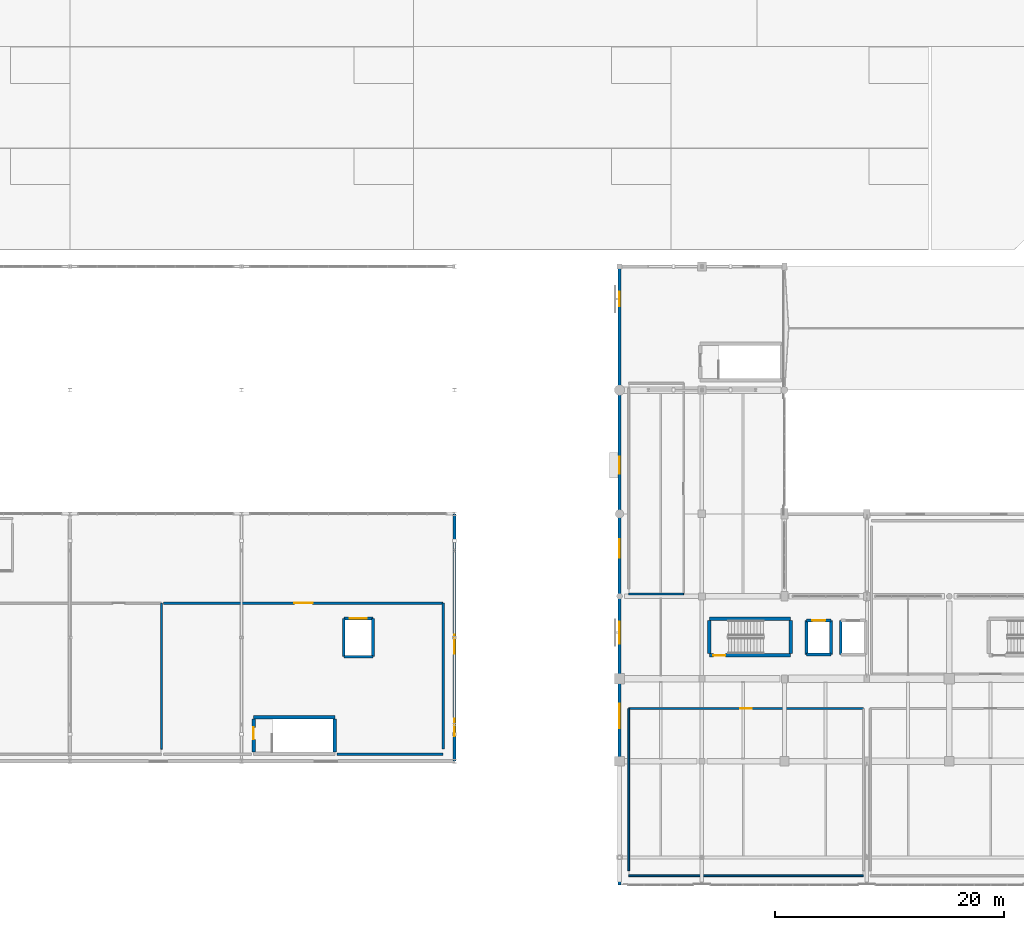
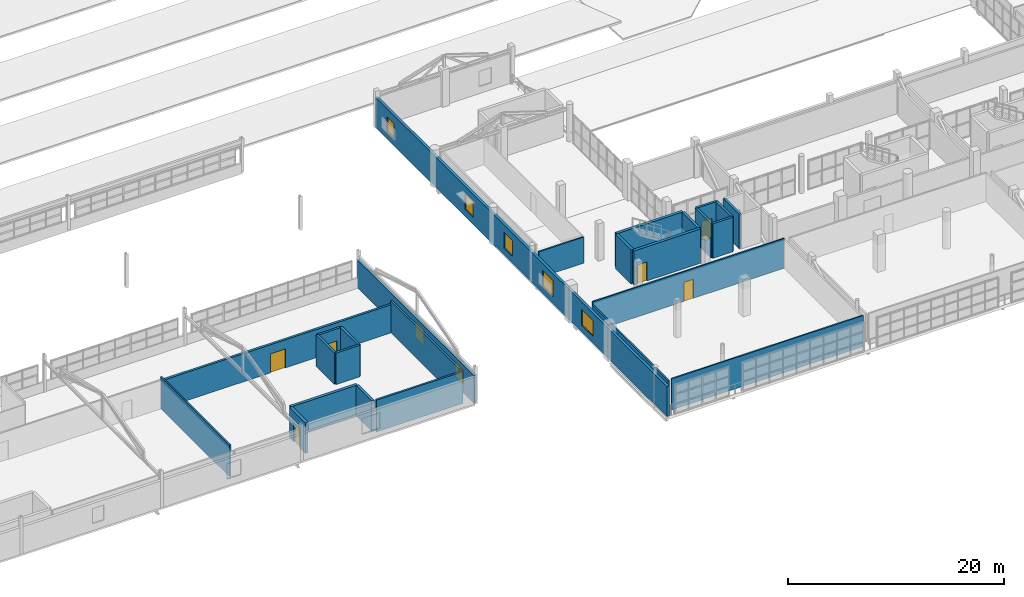
# One storey, part 72 of 90: 26 walls, 7 windows, 6 doors, 13 openings.
"""IFC4 building model written with IfcOpenShell, lengths in metres."""

import ifcopenshell
import ifcopenshell.guid

model = None  # the IFC model being written
_history = None  # IfcOwnerHistory: only IFC2X3 demands one
_inside = {}  # id of a spatial element -> (the spatial element, [elements in it])
_under = {}  # id of a project, library or spatial element -> (it, [spatial elements below it])
_declared = {}  # id of a project -> (the project, [libraries it declares])
_typed = {}  # id of a type object -> (the type object, [elements of that type])
_made_of = {}  # id of a material, layer set ... -> (it, [elements and type objects made of it])


def new_model(schema):
    """Start an empty IFC model of exactly this schema.

    Asked for "IFC4X3", IfcOpenShell would pick the latest addendum, in which some entities
    have other attributes; the version numbers below select the first issue.
    IFC2X3 requires an IfcOwnerHistory on every rooted entity: one is made here for all.
    """
    global model, _history
    if schema == "IFC4X3":
        model = ifcopenshell.file(schema_version=(4, 3, 0, 0))
    else:
        model = ifcopenshell.file(schema=schema)
    _inside.clear()
    _under.clear()
    _declared.clear()
    _typed.clear()
    _made_of.clear()
    _history = None
    if model.schema == "IFC2X3":
        org = make("IfcOrganization", Name="unknown")
        user = make(
            "IfcPersonAndOrganization",
            ThePerson=make("IfcPerson", FamilyName="unknown"),
            TheOrganization=org,
        )
        app = make(
            "IfcApplication",
            ApplicationDeveloper=org,
            Version="unknown",
            ApplicationFullName="unknown",
            ApplicationIdentifier="unknown",
        )
        _history = make(
            "IfcOwnerHistory",
            OwningUser=user,
            OwningApplication=app,
            ChangeAction="ADDED",
            CreationDate=0,
        )
    return model


def make(cls, **values):
    """One entity of the class cls with the attributes given. An attribute that is None is left unset."""
    return model.create_entity(
        cls, **{name: value for name, value in values.items() if value is not None}
    )


def rooted(cls, **values):
    """An entity with a GlobalId (a new one), such as an element, a storey or a relation."""
    return make(cls, GlobalId=ifcopenshell.guid.new(), OwnerHistory=_history, **values)


def si_unit(unit_type, name, prefix=None):
    """IfcSIUnit, for example si_unit("LENGTHUNIT", "METRE", prefix="MILLI")."""
    return make("IfcSIUnit", UnitType=unit_type, Prefix=prefix, Name=name)


def assignment(units):
    """IfcUnitAssignment: the units of a project."""
    return None if units is None else make("IfcUnitAssignment", Units=units)


def point(xyz):
    """IfcCartesianPoint."""
    return None if xyz is None else make("IfcCartesianPoint", Coordinates=xyz)


def direction(xyz):
    """IfcDirection."""
    return None if xyz is None else make("IfcDirection", DirectionRatios=xyz)


def frame(location, z_axis=None, x_axis=None):
    """IfcAxis2Placement3D, a coordinate frame: its origin and axes. An axis left out is left unset."""
    return make(
        "IfcAxis2Placement3D",
        Location=point(location),
        Axis=direction(z_axis),
        RefDirection=direction(x_axis),
    )


def frame_2d(location, x_axis=None):
    """IfcAxis2Placement2D, a coordinate frame in the plane: its origin and x axis."""
    return make(
        "IfcAxis2Placement2D", Location=point(location), RefDirection=direction(x_axis)
    )


def origin():
    """The frame at (0, 0, 0) with its axes left unset."""
    return frame((0.0, 0.0, 0.0))


def place(relative_to, where):
    """IfcLocalPlacement: puts the frame where relative to a parent placement (None: the world)."""
    return make(
        "IfcLocalPlacement", PlacementRelTo=relative_to, RelativePlacement=where
    )


def context(
    kind, dimensions, precision=None, world=None, true_north=None, identifier=None
):
    """IfcGeometricRepresentationContext, for example the 3D "Model" context."""
    return make(
        "IfcGeometricRepresentationContext",
        ContextIdentifier=identifier,
        ContextType=kind,
        CoordinateSpaceDimension=dimensions,
        Precision=precision,
        WorldCoordinateSystem=world,
        TrueNorth=true_north,
    )


def subcontext(parent, identifier, kind, view, scale=None):
    """IfcGeometricRepresentationSubContext, for example "Body" below "Model"."""
    return make(
        "IfcGeometricRepresentationSubContext",
        ContextIdentifier=identifier,
        ContextType=kind,
        ParentContext=parent,
        TargetScale=scale,
        TargetView=view,
    )


def project(units=None, contexts=None):
    """IfcProject with its units and contexts."""
    return rooted(
        "IfcProject",
        Name="project",
        RepresentationContexts=contexts,
        UnitsInContext=assignment(units),
    )


def spatial(cls, under=None, at=None, **own):
    """A site, building, storey or space (cls), placed at a placement, below another one or the project."""
    s = rooted(cls, ObjectPlacement=at, **own)
    if under is not None:
        _under.setdefault(under.id(), (under, []))[1].append(s)
    return s


def profile(cls, at=None, kind="AREA", **sizes):
    """A parametric profile (cls). Its sizes go by their IFC names, for example OverallWidth=200.0."""
    return make(cls, ProfileType=kind, Position=at, **sizes)


def rectangle(**sizes):
    """IfcRectangleProfileDef."""
    return profile("IfcRectangleProfileDef", **sizes)


def extrude(swept, where, along, depth):
    """IfcExtrudedAreaSolid: the profile swept, set in the frame where, extruded along a direction by depth."""
    return make(
        "IfcExtrudedAreaSolid",
        SweptArea=swept,
        Position=where,
        ExtrudedDirection=direction(along),
        Depth=depth,
    )


def shape(context_of_items, identifier, shape_type, items):
    """IfcShapeRepresentation: the items that make up one representation, for example the "Body"."""
    return make(
        "IfcShapeRepresentation",
        ContextOfItems=context_of_items,
        RepresentationIdentifier=identifier,
        RepresentationType=shape_type,
        Items=items,
    )


def material(Name=None, Category=None):
    """IfcMaterial."""
    return make("IfcMaterial", Name=Name, Category=Category)


def layer(
    of_material, thickness, ventilated=None, Name=None, Category=None, Priority=None
):
    """IfcMaterialLayer: one layer of a wall or slab, of a material (None: an air gap)."""
    return make(
        "IfcMaterialLayer",
        Material=of_material,
        LayerThickness=thickness,
        IsVentilated=ventilated,
        Name=Name,
        Category=Category,
        Priority=Priority,
    )


def layer_set(layers, Name=None):
    """IfcMaterialLayerSet."""
    return make("IfcMaterialLayerSet", MaterialLayers=layers, LayerSetName=Name)


def made_of(thing, what):
    """Note that an element or type object is made of a material, layer set ...; save() writes the relation."""
    if what is not None:
        _made_of.setdefault(what.id(), (what, []))[1].append(thing)
    return thing


def type_object(cls, material=None, **own):
    """A type object (cls), such as IfcWallType, which elements share."""
    return made_of(rooted(cls, **own), material)


def element(
    cls,
    number,
    at=None,
    inside=None,
    cuts=None,
    type_object=None,
    material=None,
    context=None,
    identifier="Body",
    shape_type=None,
    held_by="IfcProductDefinitionShape",
    body=None,
    shapes=None,
    **own,
):
    """One element of the class cls, such as IfcWall. Its Tag is "e" and its number.

    at: its placement. inside: the storey or other place that contains it. cuts: it is an
    opening in that element (IfcRelVoidsElement). A single representation is given by context,
    identifier, shape_type and body (its items); several are given by shapes. held_by: the class
    of the entity that holds the representations. save() writes the other relations.
    """
    e = rooted(cls, Tag="e%d" % number, ObjectPlacement=at, **own)
    if body is not None:
        shapes = [shape(context, identifier, shape_type, body)]
    if shapes is not None:
        e.Representation = make(held_by, Representations=shapes)
    if inside is not None:
        _inside.setdefault(inside.id(), (inside, []))[1].append(e)
    if cuts is not None:
        rooted(
            "IfcRelVoidsElement", RelatingBuildingElement=cuts, RelatedOpeningElement=e
        )
    if type_object is not None:
        _typed.setdefault(type_object.id(), (type_object, []))[1].append(e)
    return made_of(e, material)


def fill(opening, filler):
    """IfcRelFillsElement: the door or window that sits in an opening."""
    return rooted(
        "IfcRelFillsElement",
        RelatingOpeningElement=opening,
        RelatedBuildingElement=filler,
    )


def aggregate(whole, parts):
    """IfcRelAggregates: a whole, such as a stair, and the parts it consists of."""
    return rooted("IfcRelAggregates", RelatingObject=whole, RelatedObjects=parts)


def save(model, path):
    """Write the relations noted so far, then the file.

    IfcRelAggregates (storeys below a building ...), IfcRelContainedInSpatialStructure (elements
    in a storey), IfcRelDefinesByType, IfcRelAssociatesMaterial and IfcRelDeclares: one each for
    every whole, place, type object, material and project.
    """
    for whole, parts in _under.values():
        aggregate(whole, parts)
    for where, things in _inside.values():
        rooted(
            "IfcRelContainedInSpatialStructure",
            RelatedElements=things,
            RelatingStructure=where,
        )
    for kind, things in _typed.values():
        rooted("IfcRelDefinesByType", RelatedObjects=things, RelatingType=kind)
    for what, things in _made_of.values():
        rooted("IfcRelAssociatesMaterial", RelatedObjects=things, RelatingMaterial=what)
    for by, libraries in _declared.values():
        rooted("IfcRelDeclares", RelatingContext=by, RelatedDefinitions=libraries)
    model.write(path)


model = new_model("IFC4")

# Units and contexts
model_context = context("Model", 3, precision=1e-05, world=origin(), true_north=direction((0.0, 1.0)))
body_context = subcontext(model_context, "Body", "Model", "MODEL_VIEW")
ifc_project = project(units=[si_unit("LENGTHUNIT", "METRE"), si_unit("AREAUNIT", "SQUARE_METRE"), si_unit("VOLUMEUNIT", "CUBIC_METRE"), si_unit("PLANEANGLEUNIT", "RADIAN"), si_unit("MASSUNIT", "GRAM", prefix="KILO")], contexts=[model_context])

# Site, building, storey
site_placement = place(None, origin())
site = spatial("IfcSite", under=ifc_project, at=site_placement, CompositionType="ELEMENT")
building_placement = place(site_placement, origin())
building = spatial("IfcBuilding", under=site, at=building_placement, Name="Solanera Park Tramway Depot", CompositionType="ELEMENT")
storey_placement = place(building_placement, frame((0.0, 0.0, 9.0)))
storey = spatial("IfcBuildingStorey", under=building, at=storey_placement, Name="L02", CompositionType="ELEMENT", Elevation=9.0)

# Walls
ifc_material_1 = material(Name="Concrete N32 (C32/40)", Category="concrete")
ifc_layer_1 = layer(ifc_material_1, 0.14990234375)
ifc_layer_set_1 = layer_set([ifc_layer_1], Name="Concrete N32 (C32/40)")
wall_type_1 = type_object("IfcWallType", Name="Acoustic Partition 150", PredefinedType="PARTITIONING", material=ifc_layer_set_1)
wall_1_placement = place(storey_placement, frame((68.0, 11.85009765625, 0.0), z_axis=(0.0, 0.0, 1.0), x_axis=(0.0, 1.0, 0.0)))
element("IfcWall", 1, at=wall_1_placement, inside=storey, type_object=wall_type_1, Name="Overhead Catenary Rigging Training Studio Dividing Wall", PredefinedType="PARTITIONING", context=body_context, shape_type="SweptSolid", body=[
    extrude(rectangle(XDim=12.75, YDim=0.14990234375, at=frame_2d((6.375, 0.0))), origin(), (0.0, 0.0, 1.0), 3.60009765625),
])
wall_2_placement = place(storey_placement, frame((129.300048828125, 0.800048828125, 0.0), z_axis=(0.0, 0.0, 1.0), x_axis=(-1.0, 0.0, 0.0)))
element("IfcWall", 2, at=wall_2_placement, inside=storey, type_object=wall_type_1, Name="Cyclone Incident and Crisis Command Suite Dividing Wall", PredefinedType="PARTITIONING", context=body_context, shape_type="SweptSolid", body=[
    extrude(rectangle(XDim=20.5, YDim=0.14990234375, at=frame_2d((10.25, 0.0))), origin(), (0.0, 0.0, 1.0), 3.50244140625),
])
wall_3_placement = place(storey_placement, frame((108.800048828125, 15.39990234375, 0.0), z_axis=(0.0, 0.0, 1.0), x_axis=(0.0, -1.0, 0.0)))
element("IfcWall", 3, at=wall_3_placement, inside=storey, type_object=wall_type_1, Name="Cyclone Incident and Crisis Command Suite Dividing Wall", PredefinedType="PARTITIONING", context=body_context, shape_type="SweptSolid", body=[
    extrude(rectangle(XDim=14.14990234375, YDim=0.14990234375, at=frame_2d((7.074951171875, 0.0))), origin(), (0.0, 0.0, 1.0), 3.001953125),
])

# Wall, opening, door
wall_4_placement = place(storey_placement, frame((108.800048828125, 15.39990234375, 0.0), z_axis=(0.0, 0.0, 1.0), x_axis=(1.0, 0.0, 0.0)))
wall_4 = element("IfcWall", 4, at=wall_4_placement, inside=storey, type_object=wall_type_1, Name="Cyclone Incident and Crisis Command Suite Corridor Wall", PredefinedType="PARTITIONING", context=body_context, shape_type="SweptSolid", body=[
    extrude(rectangle(XDim=20.5, YDim=0.14990234375, at=frame_2d((10.25, 0.0))), origin(), (0.0, 0.0, 1.0), 3.35693359375),
])
opening_1_placement = place(wall_4_placement, frame((9.764892578125, 0.0, 0.0)))
opening_1 = element("IfcOpeningElement", 5, at=opening_1_placement, cuts=wall_4, Name="Opening ID-O1R", PredefinedType="OPENING", context=body_context, shape_type="SweptSolid", body=[
    extrude(rectangle(XDim=0.969970703125, YDim=2.14990234375, at=frame_2d((0.48486328125, 1.074951171875))), frame((0.0, 0.0849609375, 0.0), z_axis=(0.0, -1.0, 0.0), x_axis=(1.0, 0.0, 0.0)), (0.0, 0.0, 1.0), 0.169921875),
])
ifc_material_2 = material(Name="Fire-rated steel or solid-core hardwood door leaf", Category="steel")
door_type_1 = type_object("IfcDoorType", Name="Office Single Door R 970x2150", OperationType="SINGLE_SWING_RIGHT", PredefinedType="DOOR", material=ifc_material_2)
door_1_placement = place(opening_1_placement, origin())
door_1 = element("IfcDoor", 6, at=door_1_placement, inside=storey, type_object=door_type_1, Name="Cyclone Incident and Crisis Command Suite Door", OperationType="SINGLE_SWING_RIGHT", OverallHeight=2.14990234375, OverallWidth=0.969970703125, PredefinedType="DOOR", context=body_context, shape_type="SweptSolid", body=[
    extrude(rectangle(XDim=0.969970703125, YDim=2.14990234375, at=frame_2d((0.48486328125, 1.074951171875))), frame((0.0, 0.02490234375, 0.0), z_axis=(0.0, -1.0, 0.0), x_axis=(1.0, 0.0, 0.0)), (0.0, 0.0, 1.0), 0.050048828125),
])
fill(opening_1, door_1)

# Wall
wall_5_placement = place(storey_placement, frame((113.60009765625, 25.39990234375, 0.0), z_axis=(0.0, 0.0, 1.0), x_axis=(-1.0, 0.0, 0.0)))
element("IfcWall", 7, at=wall_5_placement, inside=storey, type_object=wall_type_1, Name="Timetabling and Network Planning Studio Dividing Wall", PredefinedType="PARTITIONING", context=body_context, shape_type="SweptSolid", body=[
    extrude(rectangle(XDim=4.800048828125, YDim=0.14990234375, at=frame_2d((2.39990234375, 0.0))), origin(), (0.0, 0.0, 1.0), 2.951904296875),
])

# Wall, opening, door
ifc_material_3 = material(Name="Concrete N40 (C40/50)", Category="concrete")
ifc_layer_2 = layer(ifc_material_3, 0.300048828125)
ifc_layer_set_2 = layer_set([ifc_layer_2], Name="Concrete N40 (C40/50)")
wall_type_2 = type_object("IfcWallType", Name="Core Shear Wall 300", PredefinedType="SHEAR", material=ifc_layer_set_2)
wall_6_placement = place(storey_placement, frame((115.85009765625, 20.050048828125, 0.0), z_axis=(0.0, 0.0, 1.0), x_axis=(1.0, 0.0, 0.0)))
wall_6 = element("IfcWall", 8, at=wall_6_placement, inside=storey, type_object=wall_type_2, Name="ST-01 L02 Shear Core Wall S", PredefinedType="SHEAR", context=body_context, shape_type="SweptSolid", body=[
    extrude(rectangle(XDim=7.099853515625, YDim=0.300048828125, at=frame_2d((3.5498046875, 0.0))), origin(), (0.0, 0.0, 1.0), 3.875),
])
opening_2_placement = place(wall_6_placement, frame((0.35009765625, 0.0, 0.0)))
opening_2 = element("IfcOpeningElement", 9, at=opening_2_placement, cuts=wall_6, Name="Opening FD-S1L", PredefinedType="OPENING", context=body_context, shape_type="SweptSolid", body=[
    extrude(rectangle(XDim=1.050048828125, YDim=2.14990234375, at=frame_2d((0.52490234375, 1.074951171875))), frame((0.0, 0.16015625, 0.0), z_axis=(0.0, -1.0, 0.0), x_axis=(1.0, 0.0, 0.0)), (0.0, 0.0, 1.0), 0.320068359375),
])
ifc_material_4 = material(Name="Fire-rated steel or solid-core hardwood door leaf", Category="steel")
door_type_2 = type_object("IfcDoorType", Name="Stair Fire Door L 1050x2150", OperationType="SINGLE_SWING_LEFT", PredefinedType="DOOR", material=ifc_material_4)
door_2_placement = place(opening_2_placement, origin())
door_2 = element("IfcDoor", 10, at=door_2_placement, inside=storey, type_object=door_type_2, Name="ST-01 L02 Stair Fire Door", OperationType="SINGLE_SWING_LEFT", OverallHeight=2.14990234375, OverallWidth=1.050048828125, PredefinedType="DOOR", context=body_context, shape_type="SweptSolid", body=[
    extrude(rectangle(XDim=1.050048828125, YDim=2.14990234375, at=frame_2d((0.52490234375, 1.074951171875))), frame((0.0, 0.02490234375, 0.0), z_axis=(0.0, -1.0, 0.0), x_axis=(1.0, 0.0, 0.0)), (0.0, 0.0, 1.0), 0.050048828125),
])
fill(opening_2, door_2)

# Walls
wall_7_placement = place(storey_placement, frame((122.949951171875, 23.25, 0.0), z_axis=(0.0, 0.0, 1.0), x_axis=(-1.0, 0.0, 0.0)))
element("IfcWall", 11, at=wall_7_placement, inside=storey, type_object=wall_type_2, Name="ST-01 L02 Shear Core Wall N", PredefinedType="SHEAR", context=body_context, shape_type="SweptSolid", body=[
    extrude(rectangle(XDim=7.099853515625, YDim=0.300048828125, at=frame_2d((3.5498046875, 0.0))), origin(), (0.0, 0.0, 1.0), 3.875),
])
for number, where, z_axis, x_axis, name in (
    (12, (122.949951171875, 20.199951171875, 0.0), (0.0, 0.0, 1.0), (0.0, 1.0, 0.0), "ST-01 L02 Shear Core Wall E"),
    (13, (115.85009765625, 23.10009765625, 0.0), (0.0, 0.0, 1.0), (0.0, -1.0, 0.0), "ST-01 L02 Shear Core Wall W"),
):
    element("IfcWall", number, at=place(storey_placement, frame(where, z_axis=z_axis, x_axis=x_axis)), inside=storey, type_object=wall_type_2, Name=name, PredefinedType="SHEAR", context=body_context, shape_type="SweptSolid", body=[
        extrude(rectangle(XDim=2.900146484375, YDim=0.300048828125, at=frame_2d((1.4501953125, 0.0))), origin(), (0.0, 0.0, 1.0), 3.875),
    ])
wall_8_placement = place(storey_placement, frame((83.14990234375, 14.64990234375, 0.0), z_axis=(0.0, 0.0, 1.0), x_axis=(-1.0, 0.0, 0.0)))
element("IfcWall", 14, at=wall_8_placement, inside=storey, type_object=wall_type_2, Name="ST-09 L02 Shear Core Wall N", PredefinedType="SHEAR", context=body_context, shape_type="SweptSolid", body=[
    extrude(rectangle(XDim=7.099853515625, YDim=0.300048828125, at=frame_2d((3.5498046875, 0.0))), origin(), (0.0, 0.0, 1.0), 3.449951171875),
])
wall_9_placement = place(storey_placement, frame((83.14990234375, 11.60009765625, 0.0), z_axis=(0.0, 0.0, 1.0), x_axis=(0.0, 1.0, 0.0)))
element("IfcWall", 15, at=wall_9_placement, inside=storey, type_object=wall_type_2, Name="ST-09 L02 Shear Core Wall E", PredefinedType="SHEAR", context=body_context, shape_type="SweptSolid", body=[
    extrude(rectangle(XDim=2.89990234375, YDim=0.300048828125, at=frame_2d((1.449951171875, 0.0))), origin(), (0.0, 0.0, 1.0), 3.449951171875),
])

# Wall, opening, door
wall_10_placement = place(storey_placement, frame((76.050048828125, 14.5, 0.0), z_axis=(0.0, 0.0, 1.0), x_axis=(0.0, -1.0, 0.0)))
wall_10 = element("IfcWall", 16, at=wall_10_placement, inside=storey, type_object=wall_type_2, Name="ST-09 L02 Shear Core Wall W", PredefinedType="SHEAR", context=body_context, shape_type="SweptSolid", body=[
    extrude(rectangle(XDim=2.89990234375, YDim=0.300048828125, at=frame_2d((1.449951171875, 0.0))), origin(), (0.0, 0.0, 1.0), 3.449951171875),
])
opening_3_placement = place(wall_10_placement, frame((0.75, 0.0, 0.0)))
opening_3 = element("IfcOpeningElement", 17, at=opening_3_placement, cuts=wall_10, Name="Opening FD-S1L", PredefinedType="OPENING", context=body_context, shape_type="SweptSolid", body=[
    extrude(rectangle(XDim=1.050048828125, YDim=2.14990234375, at=frame_2d((0.52490234375, 1.074951171875))), frame((0.0, 0.16015625, 0.0), z_axis=(0.0, -1.0, 0.0), x_axis=(1.0, 0.0, 0.0)), (0.0, 0.0, 1.0), 0.320068359375),
])
door_3_placement = place(opening_3_placement, origin())
door_3 = element("IfcDoor", 18, at=door_3_placement, inside=storey, type_object=door_type_2, Name="ST-09 L02 Stair Fire Door", OperationType="SINGLE_SWING_LEFT", OverallHeight=2.14990234375, OverallWidth=1.050048828125, PredefinedType="DOOR", context=body_context, shape_type="SweptSolid", body=[
    extrude(rectangle(XDim=1.050048828125, YDim=2.14990234375, at=frame_2d((0.52490234375, 1.074951171875))), frame((0.0, 0.02490234375, 0.0), z_axis=(0.0, -1.0, 0.0), x_axis=(1.0, 0.0, 0.0)), (0.0, 0.0, 1.0), 0.050048828125),
])
fill(opening_3, door_3)

# Wall, openings, windows
ifc_material_5 = material(Name="Concrete N32 (C32/40)", Category="concrete")
ifc_layer_3 = layer(ifc_material_5, 0.280029296875)
ifc_layer_set_3 = layer_set([ifc_layer_3], Name="Concrete N32 (C32/40)")
wall_type_3 = type_object("IfcWallType", Name="Ext Stucco Wall 280", PredefinedType="SOLIDWALL", material=ifc_layer_set_3)
wall_11_placement = place(storey_placement, frame((93.60009765625, 10.800048828125, 0.0), z_axis=(0.0, 0.0, 1.0), x_axis=(0.0, 1.0, 0.0)))
wall_11 = element("IfcWall", 19, at=wall_11_placement, inside=storey, type_object=wall_type_3, Name="L02 Exterior Wall #010", PredefinedType="SOLIDWALL", context=body_context, shape_type="SweptSolid", body=[
    extrude(rectangle(XDim=21.599853515625, YDim=0.280029296875, at=frame_2d((10.7998046875, 0.0))), origin(), (0.0, 0.0, 1.0), 3.133544921875),
])
opening_4_placement = place(wall_11_placement, frame((2.199951171875, 0.0, 0.780029296875)))
opening_4 = element("IfcOpeningElement", 20, at=opening_4_placement, cuts=wall_11, Name="Opening WN-C15", PredefinedType="OPENING", context=body_context, shape_type="SweptSolid", body=[
    extrude(rectangle(XDim=1.5, YDim=1.75, at=frame_2d((0.75, 0.875))), frame((0.0, 0.14990234375, 0.0), z_axis=(0.0, -1.0, 0.0), x_axis=(1.0, 0.0, 0.0)), (0.0, 0.0, 1.0), 0.300048828125),
])
opening_5_placement = place(wall_11_placement, frame((9.39990234375, 0.0, 0.780029296875)))
opening_5 = element("IfcOpeningElement", 21, at=opening_5_placement, cuts=wall_11, Name="Opening WN-C16", PredefinedType="OPENING", context=body_context, shape_type="SweptSolid", body=[
    extrude(rectangle(XDim=1.64990234375, YDim=1.800048828125, at=frame_2d((0.824951171875, 0.89990234375))), frame((0.0, 0.14990234375, 0.0), z_axis=(0.0, -1.0, 0.0), x_axis=(1.0, 0.0, 0.0)), (0.0, 0.0, 1.0), 0.300048828125),
])
ifc_material_6 = material(Name="Powder-coated aluminium frame with solar-control double glazing", Category="aluminium")
window_type_1 = type_object("IfcWindowType", Name="Cloister Casement Window 1500x1750", PartitioningType="SINGLE_PANEL", PredefinedType="WINDOW", material=ifc_material_6)
window_1_placement = place(opening_4_placement, origin())
window_1 = element("IfcWindow", 22, at=window_1_placement, inside=storey, type_object=window_type_1, Name="L02 Cloister Casement Window 1500x1750 #0062", OverallHeight=1.75, OverallWidth=1.5, PartitioningType="SINGLE_PANEL", PredefinedType="WINDOW", context=body_context, shape_type="SweptSolid", body=[
    extrude(rectangle(XDim=1.5, YDim=1.75, at=frame_2d((0.75, 0.875))), frame((0.0, 0.030029296875, 0.0), z_axis=(0.0, -1.0, 0.0), x_axis=(1.0, 0.0, 0.0)), (0.0, 0.0, 1.0), 0.06005859375),
])
fill(opening_4, window_1)
ifc_material_7 = material(Name="Powder-coated aluminium frame with solar-control double glazing", Category="aluminium")
window_type_2 = type_object("IfcWindowType", Name="Cloister Casement Window 1650x1800", PartitioningType="SINGLE_PANEL", PredefinedType="WINDOW", material=ifc_material_7)
window_2_placement = place(opening_5_placement, origin())
window_2 = element("IfcWindow", 23, at=window_2_placement, inside=storey, type_object=window_type_2, Name="L02 Cloister Casement Window 1650x1800 #0063", OverallHeight=1.800048828125, OverallWidth=1.64990234375, PartitioningType="SINGLE_PANEL", PredefinedType="WINDOW", context=body_context, shape_type="SweptSolid", body=[
    extrude(rectangle(XDim=1.64990234375, YDim=1.800048828125, at=frame_2d((0.824951171875, 0.89990234375))), frame((0.0, 0.030029296875, 0.0), z_axis=(0.0, -1.0, 0.0), x_axis=(1.0, 0.0, 0.0)), (0.0, 0.0, 1.0), 0.06005859375),
])
fill(opening_5, window_2)

wall_12_placement = place(storey_placement, frame((108.0, 54.0, 0.0), z_axis=(0.0, 0.0, 1.0), x_axis=(0.0, -1.0, 0.0)))
wall_12 = element("IfcWall", 24, at=wall_12_placement, inside=storey, type_object=wall_type_3, Name="L02 Exterior Wall #029", PredefinedType="SOLIDWALL", context=body_context, shape_type="SweptSolid", body=[
    extrude(rectangle(XDim=54.0, YDim=0.280029296875, at=frame_2d((27.0, 0.0))), origin(), (0.0, 0.0, 1.0), 3.39990234375),
])
opening_6_placement = place(wall_12_placement, frame((2.199951171875, 0.0, 0.780029296875)))
opening_6 = element("IfcOpeningElement", 25, at=opening_6_placement, cuts=wall_12, Name="Opening WN-C12", PredefinedType="OPENING", context=body_context, shape_type="SweptSolid", body=[
    extrude(rectangle(XDim=1.25, YDim=1.699951171875, at=frame_2d((0.625, 0.85009765625))), frame((0.0, 0.14990234375, 0.0), z_axis=(0.0, -1.0, 0.0), x_axis=(1.0, 0.0, 0.0)), (0.0, 0.0, 1.0), 0.300048828125),
])
opening_7_placement = place(wall_12_placement, frame((16.60009765625, 0.0, 0.780029296875)))
opening_7 = element("IfcOpeningElement", 26, at=opening_7_placement, cuts=wall_12, Name="Opening WN-C15", PredefinedType="OPENING", context=body_context, shape_type="SweptSolid", body=[
    extrude(rectangle(XDim=1.5, YDim=1.75, at=frame_2d((0.75, 0.875))), frame((0.0, 0.14990234375, 0.0), z_axis=(0.0, -1.0, 0.0), x_axis=(1.0, 0.0, 0.0)), (0.0, 0.0, 1.0), 0.300048828125),
])
opening_8_placement = place(wall_12_placement, frame((23.800048828125, 0.0, 0.780029296875)))
opening_8 = element("IfcOpeningElement", 27, at=opening_8_placement, cuts=wall_12, Name="Opening WN-C16", PredefinedType="OPENING", context=body_context, shape_type="SweptSolid", body=[
    extrude(rectangle(XDim=1.64990234375, YDim=1.800048828125, at=frame_2d((0.824951171875, 0.89990234375))), frame((0.0, 0.14990234375, 0.0), z_axis=(0.0, -1.0, 0.0), x_axis=(1.0, 0.0, 0.0)), (0.0, 0.0, 1.0), 0.300048828125),
])
opening_9_placement = place(wall_12_placement, frame((31.0, 0.0, 0.780029296875)))
opening_9 = element("IfcOpeningElement", 28, at=opening_9_placement, cuts=wall_12, Name="Opening WN-C19", PredefinedType="OPENING", context=body_context, shape_type="SweptSolid", body=[
    extrude(rectangle(XDim=1.949951171875, YDim=1.800048828125, at=frame_2d((0.97509765625, 0.89990234375))), frame((0.0, 0.14990234375, 0.0), z_axis=(0.0, -1.0, 0.0), x_axis=(1.0, 0.0, 0.0)), (0.0, 0.0, 1.0), 0.300048828125),
])
opening_10_placement = place(wall_12_placement, frame((38.199951171875, 0.0, 0.780029296875)))
opening_10 = element("IfcOpeningElement", 29, at=opening_10_placement, cuts=wall_12, Name="Opening WN-C21", PredefinedType="OPENING", context=body_context, shape_type="SweptSolid", body=[
    extrude(rectangle(XDim=2.10009765625, YDim=1.800048828125, at=frame_2d((1.050048828125, 0.89990234375))), frame((0.0, 0.14990234375, 0.0), z_axis=(0.0, -1.0, 0.0), x_axis=(1.0, 0.0, 0.0)), (0.0, 0.0, 1.0), 0.300048828125),
])
ifc_material_8 = material(Name="Powder-coated aluminium frame with solar-control double glazing", Category="aluminium")
window_type_3 = type_object("IfcWindowType", Name="Cloister Casement Window 1250x1700", PartitioningType="SINGLE_PANEL", PredefinedType="WINDOW", material=ifc_material_8)
window_3_placement = place(opening_6_placement, origin())
window_3 = element("IfcWindow", 30, at=window_3_placement, inside=storey, type_object=window_type_3, Name="L02 Cloister Casement Window 1250x1700 #0131", OverallHeight=1.699951171875, OverallWidth=1.25, PartitioningType="SINGLE_PANEL", PredefinedType="WINDOW", context=body_context, shape_type="SweptSolid", body=[
    extrude(rectangle(XDim=1.25, YDim=1.699951171875, at=frame_2d((0.625, 0.85009765625))), frame((0.0, 0.030029296875, 0.0), z_axis=(0.0, -1.0, 0.0), x_axis=(1.0, 0.0, 0.0)), (0.0, 0.0, 1.0), 0.06005859375),
])
fill(opening_6, window_3)
window_4_placement = place(opening_7_placement, origin())
window_4 = element("IfcWindow", 31, at=window_4_placement, inside=storey, type_object=window_type_1, Name="L02 Cloister Casement Window 1500x1750 #0132", OverallHeight=1.75, OverallWidth=1.5, PartitioningType="SINGLE_PANEL", PredefinedType="WINDOW", context=body_context, shape_type="SweptSolid", body=[
    extrude(rectangle(XDim=1.5, YDim=1.75, at=frame_2d((0.75, 0.875))), frame((0.0, 0.030029296875, 0.0), z_axis=(0.0, -1.0, 0.0), x_axis=(1.0, 0.0, 0.0)), (0.0, 0.0, 1.0), 0.06005859375),
])
fill(opening_7, window_4)
window_5_placement = place(opening_8_placement, origin())
window_5 = element("IfcWindow", 32, at=window_5_placement, inside=storey, type_object=window_type_2, Name="L02 Cloister Casement Window 1650x1800 #0133", OverallHeight=1.800048828125, OverallWidth=1.64990234375, PartitioningType="SINGLE_PANEL", PredefinedType="WINDOW", context=body_context, shape_type="SweptSolid", body=[
    extrude(rectangle(XDim=1.64990234375, YDim=1.800048828125, at=frame_2d((0.824951171875, 0.89990234375))), frame((0.0, 0.030029296875, 0.0), z_axis=(0.0, -1.0, 0.0), x_axis=(1.0, 0.0, 0.0)), (0.0, 0.0, 1.0), 0.06005859375),
])
fill(opening_8, window_5)
ifc_material_9 = material(Name="Powder-coated aluminium frame with solar-control double glazing", Category="aluminium")
window_type_4 = type_object("IfcWindowType", Name="Cloister Casement Window 1950x1800", PartitioningType="SINGLE_PANEL", PredefinedType="WINDOW", material=ifc_material_9)
window_6_placement = place(opening_9_placement, origin())
window_6 = element("IfcWindow", 33, at=window_6_placement, inside=storey, type_object=window_type_4, Name="L02 Cloister Casement Window 1950x1800 #0134", OverallHeight=1.800048828125, OverallWidth=1.949951171875, PartitioningType="SINGLE_PANEL", PredefinedType="WINDOW", context=body_context, shape_type="SweptSolid", body=[
    extrude(rectangle(XDim=1.949951171875, YDim=1.800048828125, at=frame_2d((0.97509765625, 0.89990234375))), frame((0.0, 0.030029296875, 0.0), z_axis=(0.0, -1.0, 0.0), x_axis=(1.0, 0.0, 0.0)), (0.0, 0.0, 1.0), 0.06005859375),
])
fill(opening_9, window_6)
ifc_material_10 = material(Name="Powder-coated aluminium frame with solar-control double glazing", Category="aluminium")
window_type_5 = type_object("IfcWindowType", Name="Cloister Casement Window 2100x1800", PartitioningType="SINGLE_PANEL", PredefinedType="WINDOW", material=ifc_material_10)
window_7_placement = place(opening_10_placement, origin())
window_7 = element("IfcWindow", 34, at=window_7_placement, inside=storey, type_object=window_type_5, Name="L02 Cloister Casement Window 2100x1800 #0135", OverallHeight=1.800048828125, OverallWidth=2.10009765625, PartitioningType="SINGLE_PANEL", PredefinedType="WINDOW", context=body_context, shape_type="SweptSolid", body=[
    extrude(rectangle(XDim=2.10009765625, YDim=1.800048828125, at=frame_2d((1.050048828125, 0.89990234375))), frame((0.0, 0.030029296875, 0.0), z_axis=(0.0, -1.0, 0.0), x_axis=(1.0, 0.0, 0.0)), (0.0, 0.0, 1.0), 0.06005859375),
])
fill(opening_10, window_7)

# Walls
ifc_material_11 = material(Name="Concrete N32 (C32/40)", Category="concrete")
ifc_layer_4 = layer(ifc_material_11, 0.199951171875)
ifc_layer_set_4 = layer_set([ifc_layer_4], Name="Concrete N32 (C32/40)")
wall_type_4 = type_object("IfcWallType", Name="Fire Compartment Wall 200", PredefinedType="SOLIDWALL", material=ifc_layer_set_4)
wall_13_placement = place(storey_placement, frame((92.60009765625, 11.39990234375, 0.0), z_axis=(0.0, 0.0, 1.0), x_axis=(-1.0, 0.0, 0.0)))
element("IfcWall", 35, at=wall_13_placement, inside=storey, type_object=wall_type_4, Name="Fleet Engineering Drawing Archive Store Dividing Wall", PredefinedType="SOLIDWALL", context=body_context, shape_type="SweptSolid", body=[
    extrude(rectangle(XDim=9.25, YDim=0.199951171875, at=frame_2d((4.625, 0.0))), origin(), (0.0, 0.0, 1.0), 3.60009765625),
])
wall_14_placement = place(storey_placement, frame((92.60009765625, 11.85009765625, 0.0), z_axis=(0.0, 0.0, 1.0), x_axis=(0.0, 1.0, 0.0)))
element("IfcWall", 36, at=wall_14_placement, inside=storey, type_object=wall_type_4, Name="Fleet Engineering Drawing Archive Store Dividing Wall", PredefinedType="SOLIDWALL", context=body_context, shape_type="SweptSolid", body=[
    extrude(rectangle(XDim=12.75, YDim=0.199951171875, at=frame_2d((6.375, 0.0))), origin(), (0.0, 0.0, 1.0), 3.60009765625),
])

# Wall, opening, door
ifc_material_12 = material(Name="Concrete N32 (C32/40)", Category="concrete")
ifc_layer_5 = layer(ifc_material_12, 0.239990234375)
ifc_layer_set_5 = layer_set([ifc_layer_5], Name="Concrete N32 (C32/40)")
wall_type_5 = type_object("IfcWallType", Name="Inter-Class Fire Wall 240", PredefinedType="SOLIDWALL", material=ifc_layer_set_5)
wall_15_placement = place(storey_placement, frame((68.199951171875, 24.60009765625, 0.0), z_axis=(0.0, 0.0, 1.0), x_axis=(1.0, 0.0, 0.0)))
wall_15 = element("IfcWall", 37, at=wall_15_placement, inside=storey, type_object=wall_type_5, Name="Fleet Engineering Drawing Archive Store Corridor Wall", PredefinedType="SOLIDWALL", context=body_context, shape_type="SweptSolid", body=[
    extrude(rectangle(XDim=24.400146484375, YDim=0.239990234375, at=frame_2d((12.2001953125, 0.0))), origin(), (0.0, 0.0, 1.0), 3.1845703125),
])
opening_11_placement = place(wall_15_placement, frame((11.39990234375, 0.0, 0.0)))
opening_11 = element("IfcOpeningElement", 38, at=opening_11_placement, cuts=wall_15, Name="Opening FD-K2D", PredefinedType="OPENING", context=body_context, shape_type="SweptSolid", body=[
    extrude(rectangle(XDim=1.60009765625, YDim=2.14990234375, at=frame_2d((0.800048828125, 1.074951171875))), frame((0.0, 0.1298828125, 0.0), z_axis=(0.0, -1.0, 0.0), x_axis=(1.0, 0.0, 0.0)), (0.0, 0.0, 1.0), 0.260009765625),
])
ifc_material_13 = material(Name="Fire-rated steel or solid-core hardwood door leaf", Category="steel")
door_type_3 = type_object("IfcDoorType", Name="Store Double Fire Door 1600x2150", OperationType="DOUBLE_SWING_RIGHT", PredefinedType="DOOR", material=ifc_material_13)
door_4_placement = place(opening_11_placement, origin())
door_4 = element("IfcDoor", 39, at=door_4_placement, inside=storey, type_object=door_type_3, Name="Fleet Engineering Drawing Archive Store Door", OperationType="DOUBLE_SWING_RIGHT", OverallHeight=2.14990234375, OverallWidth=1.60009765625, PredefinedType="DOOR", context=body_context, shape_type="SweptSolid", body=[
    extrude(rectangle(XDim=1.60009765625, YDim=2.14990234375, at=frame_2d((0.800048828125, 1.074951171875))), frame((0.0, 0.02490234375, 0.0), z_axis=(0.0, -1.0, 0.0), x_axis=(1.0, 0.0, 0.0)), (0.0, 0.0, 1.0), 0.050048828125),
])
fill(opening_11, door_4)

# Wall
ifc_material_14 = material(Name="Concrete N40 (C40/50)", Category="concrete")
ifc_layer_6 = layer(ifc_material_14, 0.25)
ifc_layer_set_6 = layer_set([ifc_layer_6], Name="Concrete N40 (C40/50)")
wall_type_6 = type_object("IfcWallType", Name="Lift Shaft Shear Wall 250", PredefinedType="SHEAR", material=ifc_layer_set_6)
wall_16_placement = place(storey_placement, frame((124.324951171875, 20.125, 0.0), z_axis=(0.0, 0.0, 1.0), x_axis=(1.0, 0.0, 0.0)))
element("IfcWall", 40, at=wall_16_placement, inside=storey, type_object=wall_type_6, Name="LF-01 L02 Lift Shaft Wall S", PredefinedType="SHEAR", context=body_context, shape_type="SweptSolid", body=[
    extrude(rectangle(XDim=2.150146484375, YDim=0.25, at=frame_2d((1.0751953125, 0.0))), origin(), (0.0, 0.0, 1.0), 3.89990234375),
])

# Wall, opening, door
wall_17_placement = place(storey_placement, frame((126.47509765625, 23.074951171875, 0.0), z_axis=(0.0, 0.0, 1.0), x_axis=(-1.0, 0.0, 0.0)))
wall_17 = element("IfcWall", 41, at=wall_17_placement, inside=storey, type_object=wall_type_6, Name="LF-01 L02 Lift Shaft Wall N", PredefinedType="SHEAR", context=body_context, shape_type="SweptSolid", body=[
    extrude(rectangle(XDim=2.150146484375, YDim=0.25, at=frame_2d((1.0751953125, 0.0))), origin(), (0.0, 0.0, 1.0), 3.89990234375),
])
opening_12_placement = place(wall_17_placement, frame((0.52490234375, 0.0, 0.0)))
opening_12 = element("IfcOpeningElement", 42, at=opening_12_placement, cuts=wall_17, Name="Opening LD-01", PredefinedType="OPENING", context=body_context, shape_type="SweptSolid", body=[
    extrude(rectangle(XDim=1.10009765625, YDim=2.14990234375, at=frame_2d((0.550048828125, 1.074951171875))), frame((0.0, 0.135009765625, 0.0), z_axis=(0.0, -1.0, 0.0), x_axis=(1.0, 0.0, 0.0)), (0.0, 0.0, 1.0), 0.27001953125),
])
ifc_material_15 = material(Name="Fire-rated steel or solid-core hardwood door leaf", Category="steel")
door_type_4 = type_object("IfcDoorType", Name="Lift Landing Sliding Door 1100x2150", OperationType="SLIDING_TO_LEFT", PredefinedType="DOOR", material=ifc_material_15)
door_5_placement = place(opening_12_placement, origin())
door_5 = element("IfcDoor", 43, at=door_5_placement, inside=storey, type_object=door_type_4, Name="LF-01 L02 Lift Landing Sliding Door", OperationType="SLIDING_TO_LEFT", OverallHeight=2.14990234375, OverallWidth=1.10009765625, PredefinedType="DOOR", context=body_context, shape_type="SweptSolid", body=[
    extrude(rectangle(XDim=1.10009765625, YDim=2.14990234375, at=frame_2d((0.550048828125, 1.074951171875))), frame((0.0, 0.02490234375, 0.0), z_axis=(0.0, -1.0, 0.0), x_axis=(1.0, 0.0, 0.0)), (0.0, 0.0, 1.0), 0.050048828125),
])
fill(opening_12, door_5)

# Walls
for number, where, z_axis, x_axis, name in (
    (44, (124.324951171875, 23.074951171875, 0.0), (0.0, 0.0, 1.0), (0.0, -1.0, 0.0), "LF-01 L02 Lift Shaft Wall W"),
    (45, (126.47509765625, 20.125, 0.0), (0.0, 0.0, 1.0), (0.0, 1.0, 0.0), "LF-01 L02 Lift Shaft Wall E"),
    (46, (127.324951171875, 23.074951171875, 0.0), (0.0, 0.0, 1.0), (0.0, -1.0, 0.0), "LF-02 L02 Lift Shaft Wall W"),
):
    element("IfcWall", number, at=place(storey_placement, frame(where, z_axis=z_axis, x_axis=x_axis)), inside=storey, type_object=wall_type_6, Name=name, PredefinedType="SHEAR", context=body_context, shape_type="SweptSolid", body=[
        extrude(rectangle(XDim=2.949951171875, YDim=0.25, at=frame_2d((1.47509765625, 0.0))), origin(), (0.0, 0.0, 1.0), 3.89990234375),
    ])
wall_18_placement = place(storey_placement, frame((83.925048828125, 19.925048828125, 0.0), z_axis=(0.0, 0.0, 1.0), x_axis=(1.0, 0.0, 0.0)))
element("IfcWall", 47, at=wall_18_placement, inside=storey, type_object=wall_type_6, Name="LF-05 L02 Lift Shaft Wall S", PredefinedType="SHEAR", context=body_context, shape_type="SweptSolid", body=[
    extrude(rectangle(XDim=2.550048828125, YDim=0.25, at=frame_2d((1.27490234375, 0.0))), origin(), (0.0, 0.0, 1.0), 3.550048828125),
])

# Wall, opening, door
wall_19_placement = place(storey_placement, frame((86.47509765625, 23.27490234375, 0.0), z_axis=(0.0, 0.0, 1.0), x_axis=(-1.0, 0.0, 0.0)))
wall_19 = element("IfcWall", 48, at=wall_19_placement, inside=storey, type_object=wall_type_6, Name="LF-05 L02 Lift Shaft Wall N", PredefinedType="SHEAR", context=body_context, shape_type="SweptSolid", body=[
    extrude(rectangle(XDim=2.550048828125, YDim=0.25, at=frame_2d((1.27490234375, 0.0))), origin(), (0.0, 0.0, 1.0), 3.550048828125),
])
opening_13_placement = place(wall_19_placement, frame((0.52490234375, 0.0, 0.0)))
opening_13 = element("IfcOpeningElement", 49, at=opening_13_placement, cuts=wall_19, Name="Opening LD-02", PredefinedType="OPENING", context=body_context, shape_type="SweptSolid", body=[
    extrude(rectangle(XDim=1.5, YDim=2.199951171875, at=frame_2d((0.75, 1.10009765625))), frame((0.0, 0.135009765625, 0.0), z_axis=(0.0, -1.0, 0.0), x_axis=(1.0, 0.0, 0.0)), (0.0, 0.0, 1.0), 0.27001953125),
])
ifc_material_16 = material(Name="Fire-rated steel or solid-core hardwood door leaf", Category="steel")
door_type_5 = type_object("IfcDoorType", Name="Goods Lift Sliding Door 1500x2200", OperationType="SLIDING_TO_RIGHT", PredefinedType="DOOR", material=ifc_material_16)
door_6_placement = place(opening_13_placement, origin())
door_6 = element("IfcDoor", 50, at=door_6_placement, inside=storey, type_object=door_type_5, Name="LF-05 L02 Lift Landing Sliding Door", OperationType="SLIDING_TO_RIGHT", OverallHeight=2.199951171875, OverallWidth=1.5, PredefinedType="DOOR", context=body_context, shape_type="SweptSolid", body=[
    extrude(rectangle(XDim=1.5, YDim=2.199951171875, at=frame_2d((0.75, 1.10009765625))), frame((0.0, 0.02490234375, 0.0), z_axis=(0.0, -1.0, 0.0), x_axis=(1.0, 0.0, 0.0)), (0.0, 0.0, 1.0), 0.050048828125),
])
fill(opening_13, door_6)

# Walls
for number, where, z_axis, x_axis, name in (
    (51, (83.925048828125, 23.27490234375, 0.0), (0.0, 0.0, 1.0), (0.0, -1.0, 0.0), "LF-05 L02 Lift Shaft Wall W"),
    (52, (86.47509765625, 19.925048828125, 0.0), (0.0, 0.0, 1.0), (0.0, 1.0, 0.0), "LF-05 L02 Lift Shaft Wall E"),
):
    element("IfcWall", number, at=place(storey_placement, frame(where, z_axis=z_axis, x_axis=x_axis)), inside=storey, type_object=wall_type_6, Name=name, PredefinedType="SHEAR", context=body_context, shape_type="SweptSolid", body=[
        extrude(rectangle(XDim=3.349853515625, YDim=0.25, at=frame_2d((1.6748046875, 0.0))), origin(), (0.0, 0.0, 1.0), 3.550048828125),
    ])

save(model, "model.ifc")
